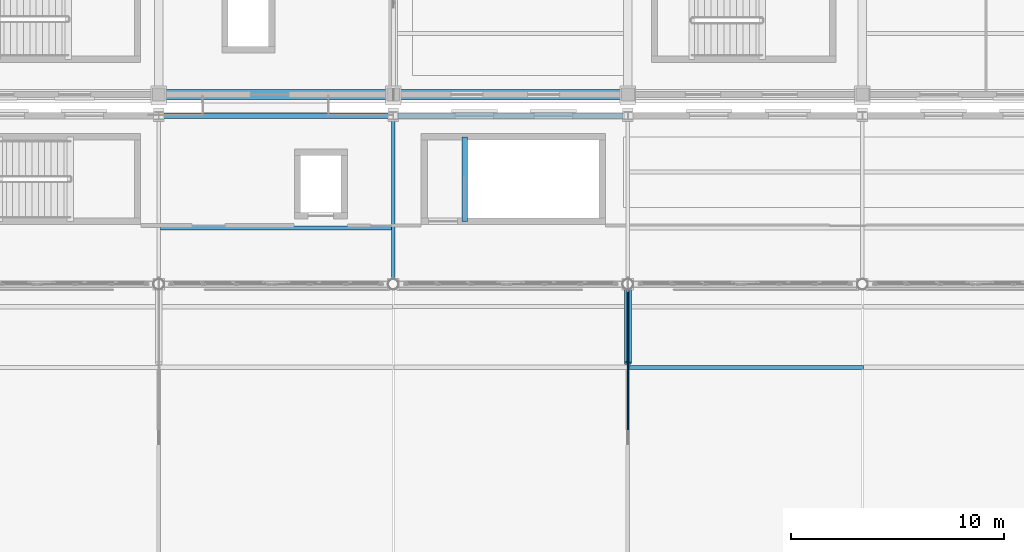
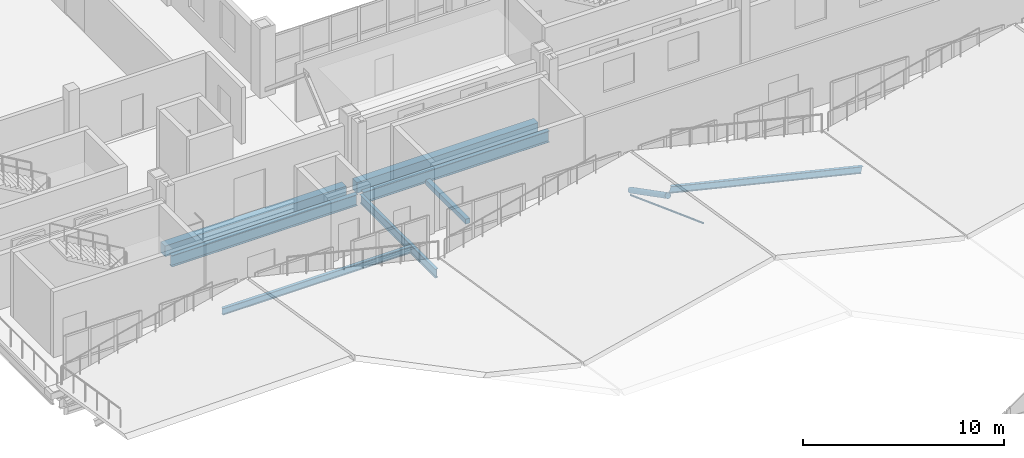
# One storey, part 24 of 120: 7 beams, 3 members.
"""IFC4 building model written with IfcOpenShell, lengths in metres."""

from ifc_helpers import new_model, si_unit, direction, frame, origin, origin_2d, place, context, subcontext, project, spatial, rectangle, circle, hollow_circle, i_section, extrude, material, material_profile, profile_set, type_object, element, save


model = new_model("IFC4")

# Units and contexts
model_context = context("Model", 3, precision=1e-05, world=origin(), true_north=direction((0.0, 1.0)))
body_context = subcontext(model_context, "Body", "Model", "MODEL_VIEW")
ifc_project = project(units=[si_unit("LENGTHUNIT", "METRE"), si_unit("AREAUNIT", "SQUARE_METRE"), si_unit("VOLUMEUNIT", "CUBIC_METRE"), si_unit("PLANEANGLEUNIT", "RADIAN"), si_unit("MASSUNIT", "GRAM", prefix="KILO")], contexts=[model_context])

# Site, building, storey
site_placement = place(None, origin())
site = spatial("IfcSite", under=ifc_project, at=site_placement, CompositionType="ELEMENT")
building_placement = place(site_placement, origin())
building = spatial("IfcBuilding", under=site, at=building_placement, Name="Caurita Quay Ferry Terminal", CompositionType="ELEMENT")
storey_placement = place(building_placement, frame((0.0, 0.0, 9.89990234375)))
storey = spatial("IfcBuildingStorey", under=building, at=storey_placement, Name="L02", CompositionType="ELEMENT", Elevation=9.89990234375)

# Beams
ifc_material_1 = material(Name="Structural steel ASTM A992 Gr. 50", Category="steel")
ifc_material_profile_1 = material_profile(ifc_material_1, i_section(OverallWidth=0.25390625, OverallDepth=0.68310546875, WebThickness=0.012451171875, FlangeThickness=0.018798828125, at=origin_2d()), Name="W27X94")
ifc_profile_set_1 = profile_set([ifc_material_profile_1], Name="Structural steel ASTM A992 Gr. 50")
beam_type_1 = type_object("IfcBeamType", Name="BM-GR-W27B", PredefinedType="BEAM", material=ifc_profile_set_1)
for number, where, z_axis, x_axis, name in (
    (1, (11.167236328125, 70.60009765625, -0.5615234375), (1.0, 0.0, 0.0), (0.0, 1.0, 0.0), "L02 Beam BM-V1-L02-X-112-706"),
    (2, (22.167236328125, 70.60009765625, -0.5615234375), (1.0, 0.0, 0.0), (0.0, 1.0, 0.0), "L02 Beam BM-V1-L02-X-222-706"),
):
    element("IfcBeam", number, at=place(storey_placement, frame(where, z_axis=z_axis, x_axis=x_axis)), inside=storey, type_object=beam_type_1, Name=name, PredefinedType="BEAM", context=body_context, shape_type="SweptSolid", body=[
        extrude(i_section(OverallWidth=0.25390625, OverallDepth=0.68310546875, WebThickness=0.012451171875, FlangeThickness=0.018798828125, at=origin_2d()), origin(), (0.0, 0.0, 1.0), 10.66552734375),
    ])
ifc_material_profile_2 = material_profile(ifc_material_1, i_section(OverallWidth=0.177734375, OverallDepth=0.40380859375, WebThickness=0.007568359375, FlangeThickness=0.010986328125, FilletRadius=0.011474609375, at=origin_2d()), Name="W16X36")
ifc_profile_set_2 = profile_set([ifc_material_profile_2], Name="Structural steel ASTM A992 Gr. 50")
beam_type_2 = type_object("IfcBeamType", Name="BM-JS-W16B", PredefinedType="JOIST", material=ifc_profile_set_2)
beam_1_placement = place(storey_placement, frame((11.083251953125, 65.333251953125, -0.421875), z_axis=(1.0, 0.0, 0.0), x_axis=(0.0, 1.0, 0.0)))
element("IfcBeam", 3, at=beam_1_placement, inside=storey, type_object=beam_type_2, Name="L02 Beam JS-V1-L02-001", PredefinedType="JOIST", context=body_context, shape_type="SweptSolid", body=[
    extrude(i_section(OverallWidth=0.177734375, OverallDepth=0.40380859375, WebThickness=0.007568359375, FlangeThickness=0.010986328125, FilletRadius=0.011474609375, at=origin_2d()), origin(), (0.0, 0.0, 1.0), 10.83349609375),
])
ifc_material_2 = material(Name="Reinforced concrete C35/45", Category="concrete")
ifc_material_profile_3 = material_profile(ifc_material_2, rectangle(XDim=0.449951171875, YDim=0.64990234375, at=origin_2d()), Name="RC-BM-450X650")
ifc_profile_set_3 = profile_set([ifc_material_profile_3], Name="Reinforced concrete C35/45")
beam_type_3 = type_object("IfcBeamType", Name="BM-RC-4565", PredefinedType="BEAM", material=ifc_profile_set_3)
for number, where, z_axis, x_axis, name in (
    (4, (11.297607421875, 71.60009765625, -0.544921875), (1.0, 0.0, 0.0), (0.0, 1.0, 0.0), "L02 Beam BM-V5-L02-X-113-716"),
    (5, (22.297607421875, 71.60009765625, -0.544921875), (1.0, 0.0, 0.0), (0.0, 1.0, 0.0), "L02 Beam BM-V5-L02-X-223-716"),
):
    element("IfcBeam", number, at=place(storey_placement, frame(where, z_axis=z_axis, x_axis=x_axis)), inside=storey, type_object=beam_type_3, Name=name, PredefinedType="BEAM", context=body_context, shape_type="SweptSolid", body=[
        extrude(rectangle(XDim=0.449951171875, YDim=0.64990234375, at=origin_2d()), origin(), (0.0, 0.0, 1.0), 10.40478515625),
    ])
ifc_material_profile_4 = material_profile(ifc_material_1, i_section(OverallWidth=0.16650390625, OverallDepth=0.535888671875, WebThickness=0.01025390625, FlangeThickness=0.0166015625, FilletRadius=0.013916015625, at=origin_2d()), Name="W21X57")
ifc_profile_set_4 = profile_set([ifc_material_profile_4], Name="Structural steel ASTM A992 Gr. 50")
beam_type_4 = type_object("IfcBeamType", Name="BM-SP-W21B", PredefinedType="SPANDREL", material=ifc_profile_set_4)
beam_2_placement = place(storey_placement, frame((22.0, 62.916015625, -0.48779296875), z_axis=(0.0, 1.0, 0.0), x_axis=(-1.0, 0.0, 0.0)))
element("IfcBeam", 6, at=beam_2_placement, inside=storey, type_object=beam_type_4, Name="L02 Beam BM-V1-L02-Y-220-629", PredefinedType="SPANDREL", context=body_context, shape_type="SweptSolid", body=[
    extrude(i_section(OverallWidth=0.16650390625, OverallDepth=0.535888671875, WebThickness=0.01025390625, FlangeThickness=0.0166015625, FilletRadius=0.013916015625, at=origin_2d()), origin(), (0.0, 0.0, 1.0), 7.524169921875),
])
ifc_material_profile_5 = material_profile(ifc_material_2, rectangle(XDim=0.25, YDim=0.300048828125, at=origin_2d()), Name="RC-LN-250X300")
ifc_profile_set_5 = profile_set([ifc_material_profile_5], Name="Reinforced concrete C35/45")
beam_type_5 = type_object("IfcBeamType", Name="LN-RC-2530", PredefinedType="LINTEL", material=ifc_profile_set_5)
beam_3_placement = place(storey_placement, frame((25.35009765625, 65.64990234375, -0.14990234375), z_axis=(0.0, 1.0, 0.0), x_axis=(-1.0, 0.0, 0.0)))
element("IfcBeam", 7, at=beam_3_placement, inside=storey, type_object=beam_type_5, Name="L02 Stair ST-06 Landing Trimmer Beam", PredefinedType="LINTEL", context=body_context, shape_type="SweptSolid", body=[
    extrude(rectangle(XDim=0.25, YDim=0.300048828125, at=origin_2d()), origin(), (0.0, 0.0, 1.0), 3.960205078125),
])

# Members
ifc_material_3 = material(Name="Structural stay cable steel ASTM A586", Category="steel")
ifc_material_profile_6 = material_profile(ifc_material_3, circle(Radius=0.0380859375, at=origin_2d()), Name="CABLE-D76")
ifc_profile_set_6 = profile_set([ifc_material_profile_6], Name="Structural stay cable steel ASTM A586")
member_type_1 = type_object("IfcMemberType", Name="MEM-CBL-76", PredefinedType="USERDEFINED", material=ifc_profile_set_6)
member_1_placement = place(storey_placement, frame((33.0, 62.699951171875, 0.550048828125), z_axis=(0.0, -0.937754897707, 0.347297785519), x_axis=(1.0, 0.0, 0.0)))
element("IfcMember", 8, at=member_1_placement, inside=storey, type_object=member_type_1, Name="Folded Roof Stay Cable V1-04-N1", ObjectType="STAY CABLE", PredefinedType="USERDEFINED", context=body_context, shape_type="SweptSolid", body=[
    extrude(circle(Radius=0.0380859375, at=origin_2d()), origin(), (0.0, 0.0, 1.0), 7.677978515625),
])
ifc_material_profile_7 = material_profile(ifc_material_1, i_section(OverallWidth=0.177734375, OverallDepth=0.40380859375, WebThickness=0.007568359375, FlangeThickness=0.010986328125, FilletRadius=0.011474609375, at=origin_2d()), Name="W16X36")
ifc_profile_set_7 = profile_set([ifc_material_profile_7], Name="Structural steel ASTM A992 Gr. 50")
member_type_2 = type_object("IfcMemberType", Name="MEM-PUR-16", PredefinedType="PURLIN", material=ifc_profile_set_7)
member_2_placement = place(storey_placement, frame((33.0, 58.800048828125, 3.26416015625), z_axis=(0.972384559308, 0.0, -0.23338437998), x_axis=(0.0, 1.0, 0.0)))
element("IfcMember", 9, at=member_2_placement, inside=storey, type_object=member_type_2, Name="Folded Roof Purlin PUR-039", PredefinedType="PURLIN", context=body_context, shape_type="SweptSolid", body=[
    extrude(i_section(OverallWidth=0.177734375, OverallDepth=0.40380859375, WebThickness=0.007568359375, FlangeThickness=0.010986328125, FilletRadius=0.011474609375, at=origin_2d()), origin(), (0.0, 0.0, 1.0), 11.3125),
])
ifc_material_4 = material(Name="Hollow structural steel ASTM A500 Gr. C", Category="steel")
ifc_material_profile_8 = material_profile(ifc_material_4, hollow_circle(Radius=0.161865234375, WallThickness=0.0087890625, at=origin_2d()), Name="HSS12.750X0.375")
ifc_profile_set_8 = profile_set([ifc_material_profile_8], Name="Hollow structural steel ASTM A500 Gr. C")
member_type_3 = type_object("IfcMemberType", Name="MEM-STR-12", PredefinedType="STRUT", material=ifc_profile_set_8)
member_3_placement = place(storey_placement, frame((33.0, 62.699951171875, 0.85009765625), z_axis=(0.0, -0.888929687657, 0.458043677395), x_axis=(1.0, 0.0, 0.0)))
element("IfcMember", 10, at=member_3_placement, inside=storey, type_object=member_type_3, Name="Mast Tree-Strut V1-04-S2", PredefinedType="STRUT", context=body_context, shape_type="SweptSolid", body=[
    extrude(hollow_circle(Radius=0.161865234375, WallThickness=0.0087890625, at=origin_2d()), origin(), (0.0, 0.0, 1.0), 4.162353515625),
])

save(model, "model.ifc")
